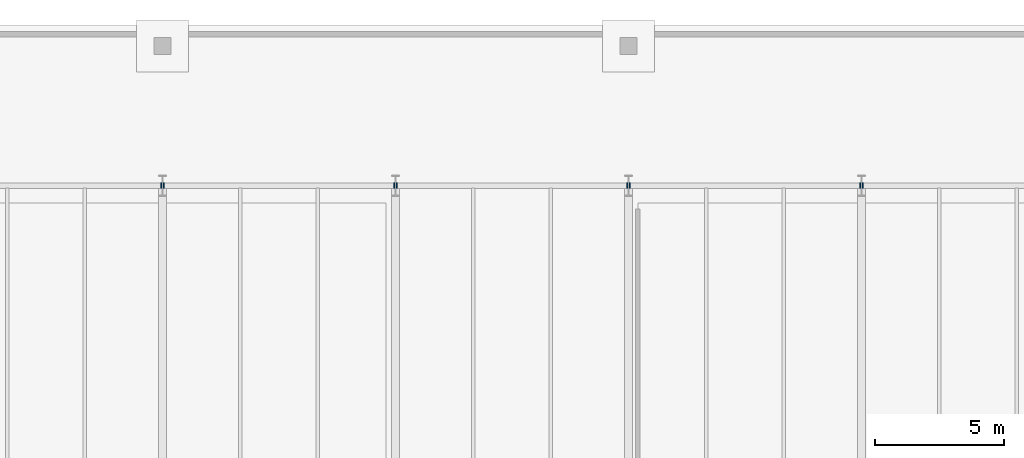
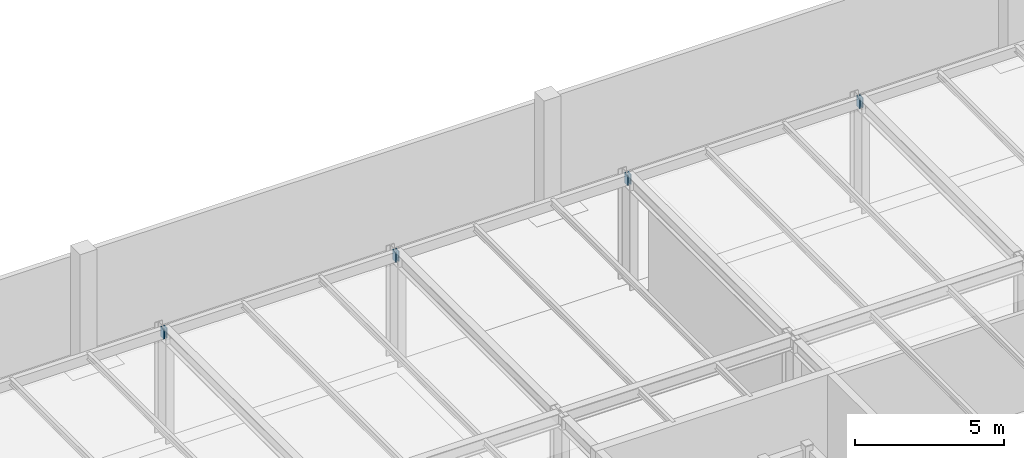
# One storey, part 145 of 160: 8 discrete accessories.
"""IFC4 building model written with IfcOpenShell, lengths in metres."""

from ifc_helpers import new_model, si_unit, direction, frame, origin, origin_2d, place, context, subcontext, project, spatial, rectangle, extrude, material, element, save


model = new_model("IFC4")

# Units and contexts
model_context = context("Model", 3, precision=1e-05, world=origin(), true_north=direction((0.0, 1.0)))
body_context = subcontext(model_context, "Body", "Model", "MODEL_VIEW")
ifc_project = project(units=[si_unit("LENGTHUNIT", "METRE"), si_unit("AREAUNIT", "SQUARE_METRE"), si_unit("VOLUMEUNIT", "CUBIC_METRE"), si_unit("PLANEANGLEUNIT", "RADIAN"), si_unit("MASSUNIT", "GRAM", prefix="KILO")], contexts=[model_context])

# Site, building, storey
site_placement = place(None, origin())
site = spatial("IfcSite", under=ifc_project, at=site_placement, CompositionType="ELEMENT")
building_placement = place(site_placement, origin())
building = spatial("IfcBuilding", under=site, at=building_placement, Name="Marlcrest Central Station", CompositionType="ELEMENT")
storey_placement = place(building_placement, origin())
storey = spatial("IfcBuildingStorey", under=building, at=storey_placement, Name="L00", CompositionType="ELEMENT", Elevation=0.0)

# Discrete accessories
ifc_material = material(Name="Steel S355", Category="steel")
for number, where, z_axis, x_axis, name in (
    (1, (35.925048828125, 132.0, 4.320068359375), (1.0, 0.0, 0.0), (0.0, 1.0, 0.0), "endcap-bm-SP-01-L00-00135-e"),
    (2, (36.03515625, 132.0, 4.320068359375), (1.0, 0.0, 0.0), (0.0, 1.0, 0.0), "endcap-bm-SP-01-L00-00136-s"),
    (3, (44.925048828125, 132.0, 4.320068359375), (1.0, 0.0, 0.0), (0.0, 1.0, 0.0), "endcap-bm-SP-01-L00-00136-e"),
    (4, (45.03515625, 132.0, 4.320068359375), (1.0, 0.0, 0.0), (0.0, 1.0, 0.0), "endcap-bm-SP-01-L00-00137-s"),
    (5, (53.925048828125, 132.0, 4.320068359375), (1.0, 0.0, 0.0), (0.0, 1.0, 0.0), "endcap-bm-SP-01-L00-00137-e"),
    (6, (54.03515625, 132.0, 4.320068359375), (1.0, 0.0, 0.0), (0.0, 1.0, 0.0), "endcap-bm-SP-01-L00-00138-s"),
    (7, (62.925048828125, 132.0, 4.320068359375), (1.0, 0.0, 0.0), (0.0, 1.0, 0.0), "endcap-bm-SP-01-L00-00138-e"),
    (8, (63.03515625, 132.0, 4.320068359375), (1.0, 0.0, 0.0), (0.0, 1.0, 0.0), "endcap-bm-SP-01-L00-00139-s"),
):
    element("IfcDiscreteAccessory", number, at=place(storey_placement, frame(where, z_axis=z_axis, x_axis=x_axis)), inside=storey, material=ifc_material, Name=name, ObjectType="END_CAP_PLATE", PredefinedType="BRACKET", context=body_context, shape_type="SweptSolid", body=[
        extrude(rectangle(XDim=0.216064453125, YDim=0.416015625, at=origin_2d()), origin(), (0.0, 0.0, 1.0), 0.0400390625),
    ])

save(model, "model.ifc")
